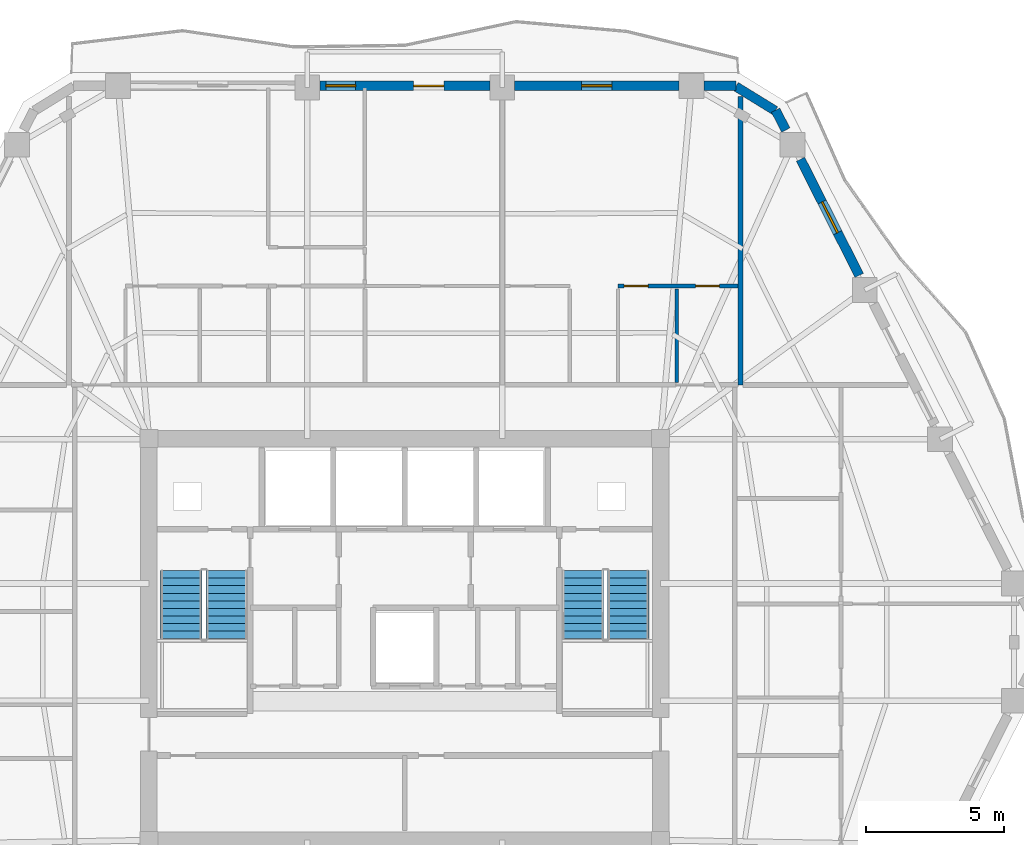
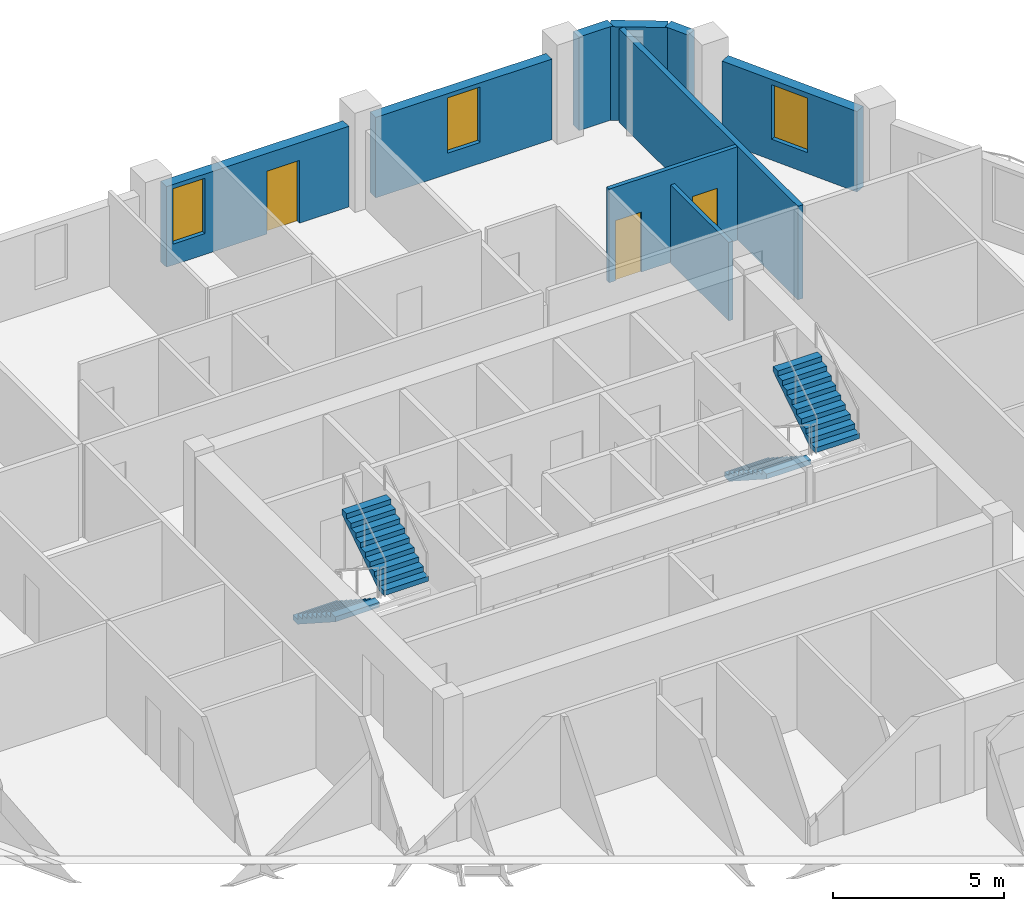
# One storey, part 8 of 11: 9 walls, 4 stair flights, 3 doors, 3 windows, 6 openings, 2 elements without a shape of their own.
"""IFC4 building model written with IfcOpenShell, lengths in metres."""

from ifc_helpers import new_model, si_unit, direction, frame, frame_2d, origin, place, context, subcontext, project, spatial, polyline, rectangle, outline, extrude, material, layer, layer_set, type_object, element, fill, aggregate, save


model = new_model("IFC4")

# Units and contexts
model_context = context("Model", 3, precision=1e-05, world=origin(), true_north=direction((0.0, 1.0)))
body_context = subcontext(model_context, "Body", "Model", "MODEL_VIEW")
ifc_project = project(units=[si_unit("LENGTHUNIT", "METRE"), si_unit("AREAUNIT", "SQUARE_METRE"), si_unit("VOLUMEUNIT", "CUBIC_METRE"), si_unit("PLANEANGLEUNIT", "RADIAN"), si_unit("MASSUNIT", "GRAM", prefix="KILO")], contexts=[model_context])

# Site, building, storey
site_placement = place(None, origin())
site = spatial("IfcSite", under=ifc_project, at=site_placement, CompositionType="ELEMENT")
building_placement = place(site_placement, origin())
building = spatial("IfcBuilding", under=site, at=building_placement, Name="Cinnabar Lancet Tower", CompositionType="ELEMENT")
storey_placement = place(building_placement, frame((0.0, 0.0, 175.449951171875)))
storey = spatial("IfcBuildingStorey", under=building, at=storey_placement, Name="L46", CompositionType="ELEMENT", Elevation=175.449951171875)

# Wall
ifc_material_1 = material(Name="Fire-rated twin-frame acoustic drywall", Category="gypsum")
ifc_layer_1 = layer(ifc_material_1, 0.179931640625)
ifc_layer_set_1 = layer_set([ifc_layer_1], Name="Fire-rated twin-frame acoustic drywall")
wall_type_1 = type_object("IfcWallType", Name="ARC-WL-PARTY-180", PredefinedType="PARTITIONING", material=ifc_layer_set_1)
wall_1_placement = place(storey_placement, frame((44.60009765625, 35.14990234375, 0.0), z_axis=(0.0, 0.0, 1.0), x_axis=(0.0, 1.0, 0.0)))
element("IfcWall", 1, at=wall_1_placement, inside=storey, type_object=wall_type_1, Name="PW-L46-NPTY-446", PredefinedType="PARTITIONING", context=body_context, shape_type="SweptSolid", body=[
    extrude(rectangle(XDim=10.482177734375, YDim=0.179931640625, at=frame_2d((5.2412109375, 0.0))), origin(), (0.0, 0.0, 1.0), 3.35009765625),
])

# Wall, openings, doors
ifc_material_2 = material(Name="Moisture-resistant cement-board plumbing wall", Category="masonry")
ifc_layer_2 = layer(ifc_material_2, 0.139892578125)
ifc_layer_set_2 = layer_set([ifc_layer_2], Name="Moisture-resistant cement-board plumbing wall")
wall_type_2 = type_object("IfcWallType", Name="ARC-WL-WET-140", PredefinedType="PLUMBINGWALL", material=ifc_layer_set_2)
wall_2_placement = place(storey_placement, frame((40.14990234375, 38.7451171875, 0.0), z_axis=(0.0, 0.0, 1.0), x_axis=(1.0, 0.0, 0.0)))
wall_2 = element("IfcWall", 2, at=wall_2_placement, inside=storey, type_object=wall_type_2, Name="UW-L46-N02-SPL", PredefinedType="PLUMBINGWALL", context=body_context, shape_type="SweptSolid", body=[
    extrude(rectangle(XDim=4.35498046875, YDim=0.139892578125, at=frame_2d((2.177490234375, 0.0))), origin(), (0.0, 0.0, 1.0), 3.35009765625),
])
opening_1_placement = place(wall_2_placement, frame((2.821044921875, 0.0, 0.0)))
opening_1 = element("IfcOpeningElement", 3, at=opening_1_placement, cuts=wall_2, Name="Opening BD-01", PredefinedType="OPENING", context=body_context, shape_type="SweptSolid", body=[
    extrude(rectangle(XDim=0.860107421875, YDim=2.10009765625, at=frame_2d((0.43017578125, 1.050048828125))), frame((0.0, 0.079833984375, 0.0), z_axis=(0.0, -1.0, 0.0), x_axis=(1.0, 0.0, 0.0)), (0.0, 0.0, 1.0), 0.159912109375),
])
opening_2_placement = place(wall_2_placement, frame((0.219970703125, 0.0, 0.0)))
opening_2 = element("IfcOpeningElement", 4, at=opening_2_placement, cuts=wall_2, Name="Opening RD-02", PredefinedType="OPENING", context=body_context, shape_type="SweptSolid", body=[
    extrude(rectangle(XDim=0.8798828125, YDim=2.14990234375, at=frame_2d((0.43994140625, 1.074951171875))), frame((0.0, 0.079833984375, 0.0), z_axis=(0.0, -1.0, 0.0), x_axis=(1.0, 0.0, 0.0)), (0.0, 0.0, 1.0), 0.159912109375),
])
ifc_material_3 = material(Name="Moisture-resistant timber bathroom door", Category="wood")
door_type_1 = type_object("IfcDoorType", Name="ARC-DR-BATH", OperationType="NOTDEFINED", PredefinedType="DOOR", material=ifc_material_3)
door_1_placement = place(opening_1_placement, origin())
door_1 = element("IfcDoor", 5, at=door_1_placement, inside=storey, type_object=door_type_1, Name="DR-L46-N02-BTH", OperationType="SINGLE_SWING_RIGHT", OverallHeight=2.10009765625, OverallWidth=0.860107421875, PredefinedType="DOOR", context=body_context, shape_type="SweptSolid", body=[
    extrude(rectangle(XDim=0.860107421875, YDim=2.10009765625, at=frame_2d((0.43017578125, 1.050048828125))), frame((0.0, 0.02490234375, 0.0), z_axis=(0.0, -1.0, 0.0), x_axis=(1.0, 0.0, 0.0)), (0.0, 0.0, 1.0), 0.050048828125),
])
fill(opening_1, door_1)
ifc_material_4 = material(Name="Engineered timber study door", Category="wood")
door_type_2 = type_object("IfcDoorType", Name="ARC-DR-STUDY", OperationType="NOTDEFINED", PredefinedType="DOOR", material=ifc_material_4)
door_2_placement = place(opening_2_placement, origin())
door_2 = element("IfcDoor", 6, at=door_2_placement, inside=storey, type_object=door_type_2, Name="DR-L46-N02-KIT", OperationType="SINGLE_SWING_LEFT", OverallHeight=2.14990234375, OverallWidth=0.8798828125, PredefinedType="DOOR", context=body_context, shape_type="SweptSolid", body=[
    extrude(rectangle(XDim=0.8798828125, YDim=2.14990234375, at=frame_2d((0.43994140625, 1.074951171875))), frame((0.0, 0.02490234375, 0.0), z_axis=(0.0, -1.0, 0.0), x_axis=(1.0, 0.0, 0.0)), (0.0, 0.0, 1.0), 0.050048828125),
])
fill(opening_2, door_2)

# Walls
wall_3_placement = place(storey_placement, frame((42.285888671875, 35.235107421875, 0.0), z_axis=(0.0, 0.0, 1.0), x_axis=(0.0, 1.0, 0.0)))
element("IfcWall", 7, at=wall_3_placement, inside=storey, type_object=wall_type_2, Name="UW-L46-N02-KDV", PredefinedType="PLUMBINGWALL", context=body_context, shape_type="SweptSolid", body=[
    extrude(rectangle(XDim=3.40478515625, YDim=0.139892578125, at=frame_2d((1.702392578125, 0.0))), origin(), (0.0, 0.0, 1.0), 2.80712890625),
])
ifc_material_5 = material(Name="Cinnabar red clay brick", Category="masonry")
ifc_layer_3 = layer(ifc_material_5, 0.340087890625)
ifc_layer_set_3 = layer_set([ifc_layer_3], Name="Cinnabar red clay brick")
wall_type_3 = type_object("IfcWallType", Name="ENV-WL-BRK-RED-340", PredefinedType="STANDARD", material=ifc_layer_set_3)
wall_4_placement = place(storey_placement, frame((45.862060546875, 45.115966796875, 0.0), z_axis=(0.0, 0.0, 1.0), x_axis=(-0.851713271379, 0.524008113828, 0.0)))
element("IfcWall", 8, at=wall_4_placement, inside=storey, type_object=wall_type_3, Name="L46 Chamfered Corner Brick Pier 4.1", PredefinedType="STANDARD", context=body_context, shape_type="SweptSolid", body=[
    extrude(rectangle(XDim=1.677734375, YDim=0.340087890625, at=frame_2d((0.8388671875, 0.0))), origin(), (0.0, 0.0, 1.0), 3.35009765625),
])

# Wall, opening, window
wall_5_placement = place(storey_placement, frame((48.9189453125, 39.1298828125, 0.0), z_axis=(0.0, 0.0, 1.0), x_axis=(-0.45150207307, 0.892270070109, 0.0)))
wall_5 = element("IfcWall", 9, at=wall_5_placement, inside=storey, type_object=wall_type_3, Name="L46 Face 3 Masonry Bay Wall 4", PredefinedType="STANDARD", context=body_context, shape_type="SweptSolid", body=[
    extrude(rectangle(XDim=4.73095703125, YDim=0.340087890625, at=frame_2d((2.365478515625, 0.0))), origin(), (0.0, 0.0, 1.0), 2.883056640625),
])
opening_3_placement = place(wall_5_placement, frame((1.739990234375, 0.0, 0.75)))
opening_3 = element("IfcOpeningElement", 10, at=opening_3_placement, cuts=wall_5, Name="Opening WN-03", PredefinedType="OPENING", context=body_context, shape_type="SweptSolid", body=[
    extrude(rectangle(XDim=1.25, YDim=1.949951171875, at=frame_2d((0.625, 0.97509765625))), frame((0.0, 0.179931640625, 0.0), z_axis=(0.0, -1.0, 0.0), x_axis=(1.0, 0.0, 0.0)), (0.0, 0.0, 1.0), 0.360107421875),
])
ifc_material_6 = material(Name="Thermally broken bronze-anodized aluminium low-E double glazing", Category="aluminium")
window_type_1 = type_object("IfcWindowType", Name="ENV-WN-LANCET-1250", PartitioningType="SINGLE_PANEL", PredefinedType="WINDOW", material=ifc_material_6)
window_1_placement = place(opening_3_placement, origin())
window_1 = element("IfcWindow", 11, at=window_1_placement, inside=storey, type_object=window_type_1, Name="L46 Face 3 Gothic Lancet Window 4", OverallHeight=1.949951171875, OverallWidth=1.25, PartitioningType="SINGLE_PANEL", PredefinedType="WINDOW", context=body_context, shape_type="SweptSolid", body=[
    extrude(rectangle(XDim=1.25, YDim=1.949951171875, at=frame_2d((0.625, 0.97509765625))), frame((0.0, 0.030029296875, 0.0), z_axis=(0.0, -1.0, 0.0), x_axis=(1.0, 0.0, 0.0)), (0.0, 0.0, 1.0), 0.06005859375),
])
fill(opening_3, window_1)

# Walls
wall_6_placement = place(storey_placement, frame((46.24609375, 44.4130859375, 0.0), z_axis=(0.0, 0.0, 1.0), x_axis=(-0.451691568309, 0.892174157392, 0.0)))
element("IfcWall", 12, at=wall_6_placement, inside=storey, type_object=wall_type_3, Name="L46 Face 3 Masonry Bay Wall 5", PredefinedType="STANDARD", context=body_context, shape_type="SweptSolid", body=[
    extrude(rectangle(XDim=0.805908203125, YDim=0.340087890625, at=frame_2d((0.40283203125, 0.0))), origin(), (0.0, 0.0, 1.0), 3.35009765625),
])
wall_7_placement = place(storey_placement, frame((44.43798828125, 46.02001953125, 0.0), z_axis=(0.0, 0.0, 1.0), x_axis=(-1.0, 0.0, 0.0)))
element("IfcWall", 13, at=wall_7_placement, inside=storey, type_object=wall_type_3, Name="L46 Face 4 Masonry Bay Wall 1", PredefinedType="STANDARD", context=body_context, shape_type="SweptSolid", body=[
    extrude(rectangle(XDim=1.1630859375, YDim=0.340087890625, at=frame_2d((0.58154296875, 0.0))), origin(), (0.0, 0.0, 1.0), 3.35009765625),
])

# Wall, opening, window
wall_8_placement = place(storey_placement, frame((42.366943359375, 46.02001953125, 0.0), z_axis=(0.0, 0.0, 1.0), x_axis=(-1.0, 0.0, 0.0)))
wall_8 = element("IfcWall", 14, at=wall_8_placement, inside=storey, type_object=wall_type_3, Name="L46 Face 4 Masonry Bay Wall 2", PredefinedType="STANDARD", context=body_context, shape_type="SweptSolid", body=[
    extrude(rectangle(XDim=5.969970703125, YDim=0.340087890625, at=frame_2d((2.98486328125, 0.0))), origin(), (0.0, 0.0, 1.0), 2.883056640625),
])
opening_4_placement = place(wall_8_placement, frame((2.43505859375, 0.0, 0.75)))
opening_4 = element("IfcOpeningElement", 15, at=opening_4_placement, cuts=wall_8, Name="Opening WN-04", PredefinedType="OPENING", context=body_context, shape_type="SweptSolid", body=[
    extrude(rectangle(XDim=1.10009765625, YDim=1.98291015625, at=frame_2d((0.550048828125, 0.991455078125))), frame((0.0, 0.179931640625, 0.0), z_axis=(0.0, -1.0, 0.0), x_axis=(1.0, 0.0, 0.0)), (0.0, 0.0, 1.0), 0.360107421875),
])
ifc_material_7 = material(Name="Thermally broken bronze-anodized aluminium tall lancet window", Category="aluminium")
window_type_2 = type_object("IfcWindowType", Name="ENV-WN-LANCET-1100", PartitioningType="SINGLE_PANEL", PredefinedType="WINDOW", material=ifc_material_7)
window_2_placement = place(opening_4_placement, origin())
window_2 = element("IfcWindow", 16, at=window_2_placement, inside=storey, type_object=window_type_2, Name="L46 Face 4 Gothic Lancet Window 2", OverallHeight=1.98291015625, OverallWidth=1.10009765625, PartitioningType="SINGLE_PANEL", PredefinedType="WINDOW", context=body_context, shape_type="SweptSolid", body=[
    extrude(rectangle(XDim=1.10009765625, YDim=1.98291015625, at=frame_2d((0.550048828125, 0.991455078125))), frame((0.0, 0.030029296875, 0.0), z_axis=(0.0, -1.0, 0.0), x_axis=(1.0, 0.0, 0.0)), (0.0, 0.0, 1.0), 0.06005859375),
])
fill(opening_4, window_2)

# Wall, openings, door, window
wall_9_placement = place(storey_placement, frame((35.489013671875, 46.02001953125, 0.0), z_axis=(0.0, 0.0, 1.0), x_axis=(-1.0, 0.0, 0.0)))
wall_9 = element("IfcWall", 17, at=wall_9_placement, inside=storey, type_object=wall_type_3, Name="L46 Face 4 Masonry Bay Wall 3", PredefinedType="STANDARD", context=body_context, shape_type="SweptSolid", body=[
    extrude(rectangle(XDim=6.177978515625, YDim=0.340087890625, at=frame_2d((3.0888671875, 0.0))), origin(), (0.0, 0.0, 1.0), 2.883056640625),
])
opening_5_placement = place(wall_9_placement, frame((1.66796875, 0.0, 0.0)))
opening_5 = element("IfcOpeningElement", 18, at=opening_5_placement, cuts=wall_9, Name="Opening TD-01", PredefinedType="OPENING", context=body_context, shape_type="SweptSolid", body=[
    extrude(rectangle(XDim=1.10009765625, YDim=2.25, at=frame_2d((0.550048828125, 1.125))), frame((0.0, 0.179931640625, 0.0), z_axis=(0.0, -1.0, 0.0), x_axis=(1.0, 0.0, 0.0)), (0.0, 0.0, 1.0), 0.360107421875),
])
opening_6_placement = place(wall_9_placement, frame((4.8720703125, 0.0, 0.75)))
opening_6 = element("IfcOpeningElement", 19, at=opening_6_placement, cuts=wall_9, Name="Opening WN-04", PredefinedType="OPENING", context=body_context, shape_type="SweptSolid", body=[
    extrude(rectangle(XDim=1.0859375, YDim=1.98291015625, at=frame_2d((0.54296875, 0.991455078125))), frame((0.0, 0.179931640625, 0.0), z_axis=(0.0, -1.0, 0.0), x_axis=(1.0, 0.0, 0.0)), (0.0, 0.0, 1.0), 0.360107421875),
])
ifc_material_8 = material(Name="Thermally broken low-E glazed balcony terrace door", Category="wood")
door_type_3 = type_object("IfcDoorType", Name="ARC-DR-BALC", OperationType="NOTDEFINED", PredefinedType="DOOR", material=ifc_material_8)
door_3_placement = place(opening_5_placement, origin())
door_3 = element("IfcDoor", 20, at=door_3_placement, inside=storey, type_object=door_type_3, Name="L46 Face 4 Glazed Terrace Door", OperationType="SINGLE_SWING_LEFT", OverallHeight=2.25, OverallWidth=1.10009765625, PredefinedType="DOOR", context=body_context, shape_type="SweptSolid", body=[
    extrude(rectangle(XDim=1.10009765625, YDim=2.25, at=frame_2d((0.550048828125, 1.125))), frame((0.0, 0.02490234375, 0.0), z_axis=(0.0, -1.0, 0.0), x_axis=(1.0, 0.0, 0.0)), (0.0, 0.0, 1.0), 0.050048828125),
])
fill(opening_5, door_3)
window_3_placement = place(opening_6_placement, origin())
window_3 = element("IfcWindow", 21, at=window_3_placement, inside=storey, type_object=window_type_2, Name="L46 Split-Bay Gothic Lancet Window 138", OverallHeight=1.98291015625, OverallWidth=1.0859375, PartitioningType="SINGLE_PANEL", PredefinedType="WINDOW", context=body_context, shape_type="SweptSolid", body=[
    extrude(rectangle(XDim=1.0859375, YDim=1.98291015625, at=frame_2d((0.54296875, 0.991455078125))), frame((0.0, 0.030029296875, 0.0), z_axis=(0.0, -1.0, 0.0), x_axis=(1.0, 0.0, 0.0)), (0.0, 0.0, 1.0), 0.06005859375),
])
fill(opening_6, window_3)

# Stair, stair flights
ifc_material_9 = material(Name="Concrete C40/50", Category="concrete")
stair_type = type_object("IfcStairType", Name="ST-CORE", PredefinedType="HALF_TURN_STAIR", material=ifc_material_9)
stair_1_placement = place(storey_placement, origin())
stair_1 = element("IfcStair", 22, at=stair_1_placement, inside=storey, type_object=stair_type, Name="L46 ST-1", PredefinedType="HALF_TURN_STAIR")
ifc_material_10 = material(Name="Concrete C40/50", Category="concrete")
stair_flight_type = type_object("IfcStairFlightType", Name="FLIGHT-CORE", PredefinedType="STRAIGHT", material=ifc_material_10)
stair_flight_1_placement = place(storey_placement, frame((24.27490234375, 28.39990234375, 0.0), z_axis=(0.0, 0.0, 1.0), x_axis=(0.0, -1.0, 0.0)))
stair_flight_1 = element("IfcStairFlight", 23, at=stair_flight_1_placement, type_object=stair_flight_type, Name="ST-1 flight 1", NumberOfRisers=10, NumberOfTreads=9, PredefinedType="STRAIGHT", RiserHeight=0.1775, TreadLength=0.275, context=body_context, shape_type="SweptSolid", body=[
    extrude(outline(polyline([(0.0, 0.0), (0.0, 0.177490234375), (0.27490234375, 0.177490234375), (0.27490234375, 0.35498046875), (0.550048828125, 0.35498046875), (0.550048828125, 0.532470703125), (0.824951171875, 0.532470703125), (0.824951171875, 0.7099609375), (1.10009765625, 0.7099609375), (1.10009765625, 0.887451171875), (1.375, 0.887451171875), (1.375, 1.06494140625), (1.64990234375, 1.06494140625), (1.64990234375, 1.242431640625), (1.925048828125, 1.242431640625), (1.925048828125, 1.419921875), (2.199951171875, 1.419921875), (2.199951171875, 1.597412109375), (2.47509765625, 1.597412109375), (2.47509765625, 1.77490234375), (2.47509765625, 1.419189453125), (0.2763671875, 0.0), (0.0, 0.0)])), frame((0.0, 0.75, 0.0), z_axis=(0.0, -1.0, 0.0), x_axis=(1.0, 0.0, 0.0)), (0.0, 0.0, 1.0), 1.5),
])
stair_flight_2_placement = place(storey_placement, frame((25.925048828125, 25.925048828125, 1.775146484375), z_axis=(0.0, 0.0, 1.0), x_axis=(0.0, 1.0, 0.0)))
stair_flight_2 = element("IfcStairFlight", 24, at=stair_flight_2_placement, type_object=stair_flight_type, Name="ST-1 flight 2", NumberOfRisers=10, NumberOfTreads=9, PredefinedType="STRAIGHT", RiserHeight=0.1775, TreadLength=0.275, context=body_context, shape_type="SweptSolid", body=[
    extrude(outline(polyline([(0.0, 0.0), (0.0, 0.177490234375), (0.27490234375, 0.177490234375), (0.27490234375, 0.35498046875), (0.550048828125, 0.35498046875), (0.550048828125, 0.532470703125), (0.824951171875, 0.532470703125), (0.824951171875, 0.7099609375), (1.10009765625, 0.7099609375), (1.10009765625, 0.887451171875), (1.375, 0.887451171875), (1.375, 1.06494140625), (1.64990234375, 1.06494140625), (1.64990234375, 1.242431640625), (1.925048828125, 1.242431640625), (1.925048828125, 1.419921875), (2.199951171875, 1.419921875), (2.199951171875, 1.597412109375), (2.47509765625, 1.597412109375), (2.47509765625, 1.77490234375), (2.47509765625, 1.419189453125), (0.2763671875, 0.0), (0.0, 0.0)])), frame((0.0, 0.75, 0.0), z_axis=(0.0, -1.0, 0.0), x_axis=(1.0, 0.0, 0.0)), (0.0, 0.0, 1.0), 1.5),
])
aggregate(stair_1, [stair_flight_1, stair_flight_2])

stair_2_placement = place(storey_placement, origin())
stair_2 = element("IfcStair", 25, at=stair_2_placement, inside=storey, type_object=stair_type, Name="L46 ST-2", PredefinedType="HALF_TURN_STAIR")
stair_flight_3_placement = place(storey_placement, frame((38.875, 28.39990234375, 0.0), z_axis=(0.0, 0.0, 1.0), x_axis=(0.0, -1.0, 0.0)))
stair_flight_3 = element("IfcStairFlight", 26, at=stair_flight_3_placement, type_object=stair_flight_type, Name="ST-2 flight 1", NumberOfRisers=10, NumberOfTreads=9, PredefinedType="STRAIGHT", RiserHeight=0.1775, TreadLength=0.275, context=body_context, shape_type="SweptSolid", body=[
    extrude(outline(polyline([(0.0, 0.0), (0.0, 0.177490234375), (0.27490234375, 0.177490234375), (0.27490234375, 0.35498046875), (0.550048828125, 0.35498046875), (0.550048828125, 0.532470703125), (0.824951171875, 0.532470703125), (0.824951171875, 0.7099609375), (1.10009765625, 0.7099609375), (1.10009765625, 0.887451171875), (1.375, 0.887451171875), (1.375, 1.06494140625), (1.64990234375, 1.06494140625), (1.64990234375, 1.242431640625), (1.925048828125, 1.242431640625), (1.925048828125, 1.419921875), (2.199951171875, 1.419921875), (2.199951171875, 1.597412109375), (2.47509765625, 1.597412109375), (2.47509765625, 1.77490234375), (2.47509765625, 1.419189453125), (0.2763671875, 0.0), (0.0, 0.0)])), frame((0.0, 0.75, 0.0), z_axis=(0.0, -1.0, 0.0), x_axis=(1.0, 0.0, 0.0)), (0.0, 0.0, 1.0), 1.5),
])
stair_flight_4_placement = place(storey_placement, frame((40.52490234375, 25.925048828125, 1.775146484375), z_axis=(0.0, 0.0, 1.0), x_axis=(0.0, 1.0, 0.0)))
stair_flight_4 = element("IfcStairFlight", 27, at=stair_flight_4_placement, type_object=stair_flight_type, Name="ST-2 flight 2", NumberOfRisers=10, NumberOfTreads=9, PredefinedType="STRAIGHT", RiserHeight=0.1775, TreadLength=0.275, context=body_context, shape_type="SweptSolid", body=[
    extrude(outline(polyline([(0.0, 0.0), (0.0, 0.177490234375), (0.27490234375, 0.177490234375), (0.27490234375, 0.35498046875), (0.550048828125, 0.35498046875), (0.550048828125, 0.532470703125), (0.824951171875, 0.532470703125), (0.824951171875, 0.7099609375), (1.10009765625, 0.7099609375), (1.10009765625, 0.887451171875), (1.375, 0.887451171875), (1.375, 1.06494140625), (1.64990234375, 1.06494140625), (1.64990234375, 1.242431640625), (1.925048828125, 1.242431640625), (1.925048828125, 1.419921875), (2.199951171875, 1.419921875), (2.199951171875, 1.597412109375), (2.47509765625, 1.597412109375), (2.47509765625, 1.77490234375), (2.47509765625, 1.419189453125), (0.2763671875, 0.0), (0.0, 0.0)])), frame((0.0, 0.75, 0.0), z_axis=(0.0, -1.0, 0.0), x_axis=(1.0, 0.0, 0.0)), (0.0, 0.0, 1.0), 1.5),
])
aggregate(stair_2, [stair_flight_3, stair_flight_4])

save(model, "model.ifc")
